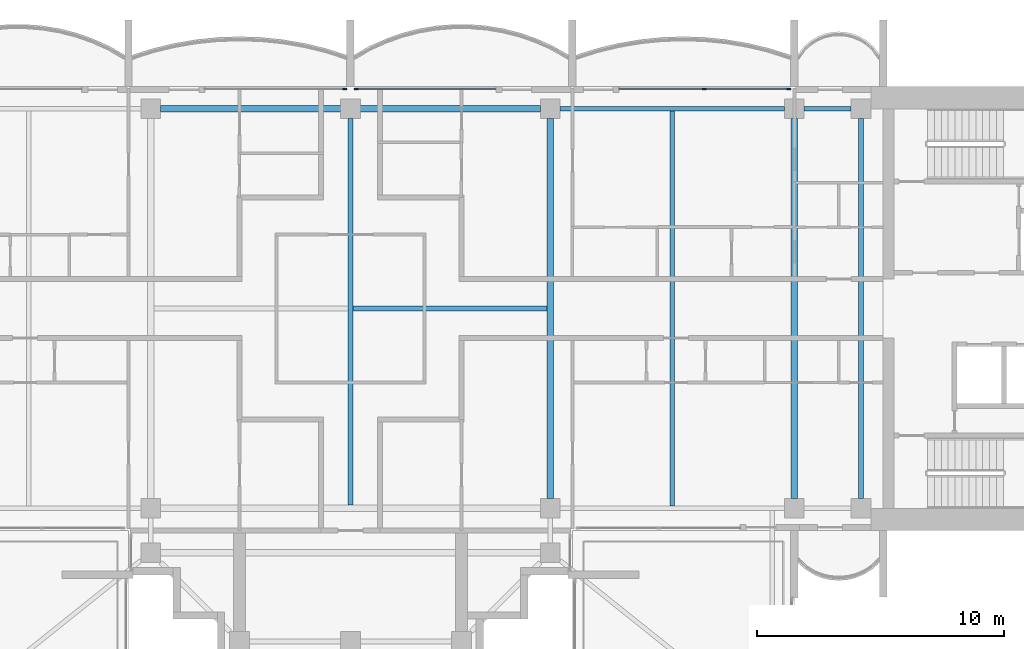
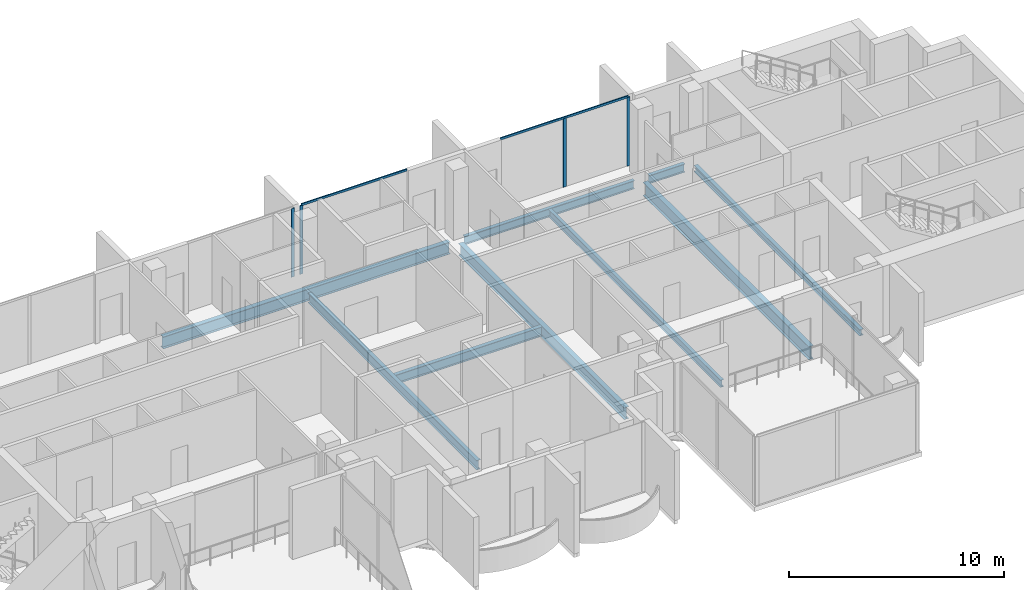
# One storey, part 4 of 16: 9 beams, 6 members, 3 elements without a shape of their own.
"""IFC4 building model written with IfcOpenShell, lengths in metres."""

from ifc_helpers import new_model, si_unit, direction, frame, origin, origin_2d, place, context, subcontext, project, spatial, rectangle, i_section, extrude, material, material_profile, profile_set, type_object, element, aggregate, save


model = new_model("IFC4")

# Units and contexts
model_context = context("Model", 3, precision=1e-05, world=origin(), true_north=direction((0.0, 1.0)))
body_context = subcontext(model_context, "Body", "Model", "MODEL_VIEW")
ifc_project = project(units=[si_unit("LENGTHUNIT", "METRE"), si_unit("AREAUNIT", "SQUARE_METRE"), si_unit("VOLUMEUNIT", "CUBIC_METRE"), si_unit("PLANEANGLEUNIT", "RADIAN"), si_unit("MASSUNIT", "GRAM", prefix="KILO")], contexts=[model_context])

# Site, building, storey
site_placement = place(None, origin())
site = spatial("IfcSite", under=ifc_project, at=site_placement, CompositionType="ELEMENT")
building_placement = place(site_placement, origin())
building = spatial("IfcBuilding", under=site, at=building_placement, Name="Perihelion Cross Residences", CompositionType="ELEMENT")
storey_placement = place(building_placement, frame((0.0, 0.0, 294.60009765625)))
storey = spatial("IfcBuildingStorey", under=building, at=storey_placement, Name="L75", CompositionType="ELEMENT", Elevation=294.60009765625)

# Curtain wall, members
ifc_material_1 = material(Name="Bronze anodised aluminium, tinted glazing", Category="aluminium")
curtain_wall_type = type_object("IfcCurtainWallType", Name="CW1", PredefinedType="NOTDEFINED", material=ifc_material_1)
curtain_wall_1_placement = place(storey_placement, origin())
curtain_wall_1 = element("IfcCurtainWall", 1, at=curtain_wall_1_placement, inside=storey, type_object=curtain_wall_type, Name="Curtain wall CW1 L75 east side north bay 2", PredefinedType="NOTDEFINED")
ifc_material_2 = material(Name="Bronze anodised aluminium", Category="aluminium")
ifc_material_profile_1 = material_profile(ifc_material_2, rectangle(XDim=0.06005859375, YDim=0.159912109375, at=origin_2d()), Name="CW1 mullion")
ifc_profile_set_1 = profile_set([ifc_material_profile_1], Name="Bronze anodised aluminium")
member_type_1 = type_object("IfcMemberType", Name="CW1 mullion", PredefinedType="MULLION", material=ifc_profile_set_1)
member_1_placement = place(storey_placement, frame((17.77001953125, 8.89990234375, 0.0), z_axis=(0.0, 0.0, 1.0), x_axis=(0.0, -1.0, 0.0)))
member_1 = element("IfcMember", 2, at=member_1_placement, type_object=member_type_1, Name="CW1 mullion 1", PredefinedType="MULLION", context=body_context, shape_type="SweptSolid", body=[
    extrude(rectangle(XDim=0.06005859375, YDim=0.159912109375, at=origin_2d()), origin(), (0.0, 0.0, 1.0), 3.889892578125),
])
member_2_placement = place(storey_placement, frame((14.35009765625, 8.89990234375, 0.0), z_axis=(0.0, 0.0, 1.0), x_axis=(0.0, -1.0, 0.0)))
member_2 = element("IfcMember", 3, at=member_2_placement, type_object=member_type_1, Name="CW1 mullion 2", PredefinedType="MULLION", context=body_context, shape_type="SweptSolid", body=[
    extrude(rectangle(XDim=0.06005859375, YDim=0.159912109375, at=origin_2d()), origin(), (0.0, 0.0, 1.0), 3.889892578125),
])

# Curtain wall, member
curtain_wall_2_placement = place(storey_placement, origin())
curtain_wall_2 = element("IfcCurtainWall", 4, at=curtain_wall_2_placement, inside=storey, type_object=curtain_wall_type, Name="Curtain wall CW1 L75 north side east bay 1", PredefinedType="NOTDEFINED")
member_3_placement = place(storey_placement, frame((0.22998046875, 8.89990234375, 0.0), z_axis=(0.0, 0.0, 1.0), x_axis=(0.0, -1.0, 0.0)))
member_3 = element("IfcMember", 5, at=member_3_placement, type_object=member_type_1, Name="CW1 mullion 2", PredefinedType="MULLION", context=body_context, shape_type="SweptSolid", body=[
    extrude(rectangle(XDim=0.06005859375, YDim=0.159912109375, at=origin_2d()), origin(), (0.0, 0.0, 1.0), 3.889892578125),
])

curtain_wall_3_placement = place(storey_placement, origin())
curtain_wall_3 = element("IfcCurtainWall", 6, at=curtain_wall_3_placement, inside=storey, type_object=curtain_wall_type, Name="Curtain wall CW1 L75 north side east bay 2", PredefinedType="NOTDEFINED")
member_4_placement = place(storey_placement, frame((-0.22998046875, 8.89990234375, 0.0), z_axis=(0.0, 0.0, 1.0), x_axis=(0.0, -1.0, 0.0)))
member_4 = element("IfcMember", 7, at=member_4_placement, type_object=member_type_1, Name="CW1 mullion 1", PredefinedType="MULLION", context=body_context, shape_type="SweptSolid", body=[
    extrude(rectangle(XDim=0.06005859375, YDim=0.159912109375, at=origin_2d()), origin(), (0.0, 0.0, 1.0), 3.889892578125),
])
aggregate(curtain_wall_3, [member_4])

# Member
ifc_material_3 = material(Name="Bronze anodised aluminium", Category="aluminium")
ifc_material_profile_2 = material_profile(ifc_material_3, rectangle(XDim=0.06005859375, YDim=0.1201171875, at=origin_2d()), Name="CW1 transom")
ifc_profile_set_2 = profile_set([ifc_material_profile_2], Name="Bronze anodised aluminium")
member_type_2 = type_object("IfcMemberType", Name="CW1 transom", PredefinedType="USERDEFINED", material=ifc_profile_set_2)
member_5_placement = place(storey_placement, frame((17.77001953125, 8.89990234375, 3.919921875), z_axis=(-1.0, 0.0, 0.0), x_axis=(0.0, -1.0, 0.0)))
member_5 = element("IfcMember", 8, at=member_5_placement, type_object=member_type_2, Name="CW1 head transom", ObjectType="TRANSOM", PredefinedType="USERDEFINED", context=body_context, shape_type="SweptSolid", body=[
    extrude(rectangle(XDim=0.06005859375, YDim=0.1201171875, at=origin_2d()), origin(), (0.0, 0.0, 1.0), 6.8701171875),
])

aggregate(curtain_wall_1, [member_1, member_2, member_5])

member_6_placement = place(storey_placement, frame((5.89990234375, 8.89990234375, 3.919921875), z_axis=(-1.0, 0.0, 0.0), x_axis=(0.0, -1.0, 0.0)))
member_6 = element("IfcMember", 9, at=member_6_placement, type_object=member_type_2, Name="CW1 head transom", ObjectType="TRANSOM", PredefinedType="USERDEFINED", context=body_context, shape_type="SweptSolid", body=[
    extrude(rectangle(XDim=0.06005859375, YDim=0.1201171875, at=origin_2d()), origin(), (0.0, 0.0, 1.0), 5.669921875),
])

aggregate(curtain_wall_2, [member_3, member_6])

# Beams
ifc_material_4 = material(Name="Steel S355", Category="steel")
ifc_material_profile_3 = material_profile(ifc_material_4, i_section(OverallWidth=0.205078125, OverallDepth=0.35302734375, WebThickness=0.009521484375, FlangeThickness=0.016845703125, at=origin_2d()), Name="W360x79")
ifc_profile_set_3 = profile_set([ifc_material_profile_3], Name="Steel S355")
beam_type_1 = type_object("IfcBeamType", Name="Core edge beam W360x79", PredefinedType="BEAM", material=ifc_profile_set_3)
beam_1_placement = place(storey_placement, frame((20.699951171875, -7.699951171875, -0.426513671875), z_axis=(0.0, 1.0, 0.0), x_axis=(-1.0, 0.0, 0.0)))
element("IfcBeam", 10, at=beam_1_placement, inside=storey, type_object=beam_type_1, Name="Core edge beam TB7 L75 no. 2", PredefinedType="BEAM", context=body_context, shape_type="SweptSolid", body=[
    extrude(i_section(OverallWidth=0.205078125, OverallDepth=0.35302734375, WebThickness=0.009521484375, FlangeThickness=0.016845703125, at=origin_2d()), origin(), (0.0, 0.0, 1.0), 15.39990234375),
])
ifc_material_5 = material(Name="Steel S355", Category="steel")
ifc_material_profile_4 = material_profile(ifc_material_5, i_section(OverallWidth=0.194091796875, OverallDepth=0.469970703125, WebThickness=0.0126953125, FlangeThickness=0.0205078125, at=origin_2d()), Name="W460x106")
ifc_profile_set_4 = profile_set([ifc_material_profile_4], Name="Steel S355")
beam_type_2 = type_object("IfcBeamType", Name="Edge beam W460x106", PredefinedType="SPANDREL", material=ifc_profile_set_4)
beam_2_placement = place(storey_placement, frame((20.300048828125, 8.10009765625, -0.485107421875), z_axis=(-1.0, 0.0, 0.0), x_axis=(0.0, -1.0, 0.0)))
element("IfcBeam", 11, at=beam_2_placement, inside=storey, type_object=beam_type_2, Name="Edge beam SB5 L75 no. 10", PredefinedType="SPANDREL", context=body_context, shape_type="SweptSolid", body=[
    extrude(i_section(OverallWidth=0.194091796875, OverallDepth=0.469970703125, WebThickness=0.0126953125, FlangeThickness=0.0205078125, at=origin_2d()), origin(), (0.0, 0.0, 1.0), 1.900146484375),
])
beam_3_placement = place(storey_placement, frame((17.60009765625, 8.10009765625, -0.485107421875), z_axis=(-1.0, 0.0, 0.0), x_axis=(0.0, -1.0, 0.0)))
element("IfcBeam", 12, at=beam_3_placement, inside=storey, type_object=beam_type_2, Name="Edge beam SB5 L75 no. 9", PredefinedType="SPANDREL", context=body_context, shape_type="SweptSolid", body=[
    extrude(i_section(OverallWidth=0.194091796875, OverallDepth=0.469970703125, WebThickness=0.0126953125, FlangeThickness=0.0205078125, at=origin_2d()), origin(), (0.0, 0.0, 1.0), 9.10009765625),
])
ifc_material_6 = material(Name="Steel S355", Category="steel")
ifc_material_profile_5 = material_profile(ifc_material_6, i_section(OverallWidth=0.26708984375, OverallDepth=0.75390625, WebThickness=0.01318359375, FlangeThickness=0.01708984375, at=origin_2d()), Name="W760x147")
ifc_profile_set_5 = profile_set([ifc_material_profile_5], Name="Steel S355")
beam_type_3 = type_object("IfcBeamType", Name="Floor girder W760x147", PredefinedType="BEAM", material=ifc_profile_set_5)
beam_4_placement = place(storey_placement, frame((18.0, -7.699951171875, -0.627197265625), z_axis=(0.0, 1.0, 0.0), x_axis=(-1.0, 0.0, 0.0)))
element("IfcBeam", 13, at=beam_4_placement, inside=storey, type_object=beam_type_3, Name="Girder G5 L75 no. 2", PredefinedType="BEAM", context=body_context, shape_type="SweptSolid", body=[
    extrude(i_section(OverallWidth=0.26708984375, OverallDepth=0.75390625, WebThickness=0.01318359375, FlangeThickness=0.01708984375, at=origin_2d()), origin(), (0.0, 0.0, 1.0), 15.39990234375),
])
ifc_material_7 = material(Name="Steel S355", Category="steel")
ifc_material_profile_6 = material_profile(ifc_material_7, i_section(OverallWidth=0.177978515625, OverallDepth=0.406005859375, WebThickness=0.0078125, FlangeThickness=0.0126953125, at=origin_2d()), Name="W410x60")
ifc_profile_set_6 = profile_set([ifc_material_profile_6], Name="Steel S355")
beam_type_4 = type_object("IfcBeamType", Name="Floor joist W410x60", PredefinedType="JOIST", material=ifc_profile_set_6)
beam_5_placement = place(storey_placement, frame((13.050048828125, -8.0029296875, -0.453125), z_axis=(0.0, 1.0, 0.0), x_axis=(-1.0, 0.0, 0.0)))
element("IfcBeam", 14, at=beam_5_placement, inside=storey, type_object=beam_type_4, Name="Joist J6 L75 no. 2", PredefinedType="JOIST", context=body_context, shape_type="SweptSolid", body=[
    extrude(i_section(OverallWidth=0.177978515625, OverallDepth=0.406005859375, WebThickness=0.0078125, FlangeThickness=0.0126953125, at=origin_2d()), origin(), (0.0, 0.0, 1.0), 16.005859375),
])
ifc_material_8 = material(Name="Steel S355", Category="steel")
ifc_material_profile_7 = material_profile(ifc_material_8, i_section(OverallWidth=0.208984375, OverallDepth=0.532958984375, WebThickness=0.01025390625, FlangeThickness=0.015625, at=origin_2d()), Name="W530x92")
ifc_profile_set_7 = profile_set([ifc_material_profile_7], Name="Steel S355")
beam_type_5 = type_object("IfcBeamType", Name="Hub cross beam W530x92", PredefinedType="BEAM", material=ifc_profile_set_7)
beam_6_placement = place(storey_placement, frame((0.0, -7.972900390625, -0.5166015625), z_axis=(0.0, 1.0, 0.0), x_axis=(-1.0, 0.0, 0.0)))
element("IfcBeam", 15, at=beam_6_placement, inside=storey, type_object=beam_type_5, Name="Hub cross beam XB5 L75 no. 1", PredefinedType="BEAM", context=body_context, shape_type="SweptSolid", body=[
    extrude(i_section(OverallWidth=0.208984375, OverallDepth=0.532958984375, WebThickness=0.01025390625, FlangeThickness=0.015625, at=origin_2d()), origin(), (0.0, 0.0, 1.0), 15.6728515625),
])
beam_7_placement = place(storey_placement, frame((0.1044921875, 0.0, -0.5166015625), z_axis=(1.0, 0.0, 0.0), x_axis=(0.0, 1.0, 0.0)))
element("IfcBeam", 16, at=beam_7_placement, inside=storey, type_object=beam_type_5, Name="Hub cross beam XB5 L75 2 no. 1", PredefinedType="BEAM", context=body_context, shape_type="SweptSolid", body=[
    extrude(i_section(OverallWidth=0.208984375, OverallDepth=0.532958984375, WebThickness=0.01025390625, FlangeThickness=0.015625, at=origin_2d()), origin(), (0.0, 0.0, 1.0), 7.868408203125),
])
ifc_material_9 = material(Name="Steel S355", Category="steel")
ifc_material_profile_8 = material_profile(ifc_material_9, i_section(OverallWidth=0.25390625, OverallDepth=0.677978515625, WebThickness=0.01171875, FlangeThickness=0.016357421875, at=origin_2d()), Name="W690x125")
ifc_profile_set_8 = profile_set([ifc_material_profile_8], Name="Steel S355")
beam_type_6 = type_object("IfcBeamType", Name="Hub ring girder W690x125", PredefinedType="BEAM", material=ifc_profile_set_8)
for number, where, z_axis, x_axis, name in (
    (17, (8.10009765625, -7.699951171875, -0.589111328125), (0.0, 1.0, 0.0), (-1.0, 0.0, 0.0), "Hub ring girder RG5 L75 no. 3"),
    (18, (7.699951171875, 8.10009765625, -0.589111328125), (-1.0, 0.0, 0.0), (0.0, -1.0, 0.0), "Hub ring girder RG5 L75 no. 4"),
):
    element("IfcBeam", number, at=place(storey_placement, frame(where, z_axis=z_axis, x_axis=x_axis)), inside=storey, type_object=beam_type_6, Name=name, PredefinedType="BEAM", context=body_context, shape_type="SweptSolid", body=[
        extrude(i_section(OverallWidth=0.25390625, OverallDepth=0.677978515625, WebThickness=0.01171875, FlangeThickness=0.016357421875, at=origin_2d()), origin(), (0.0, 0.0, 1.0), 15.39990234375),
    ])

save(model, "model.ifc")
